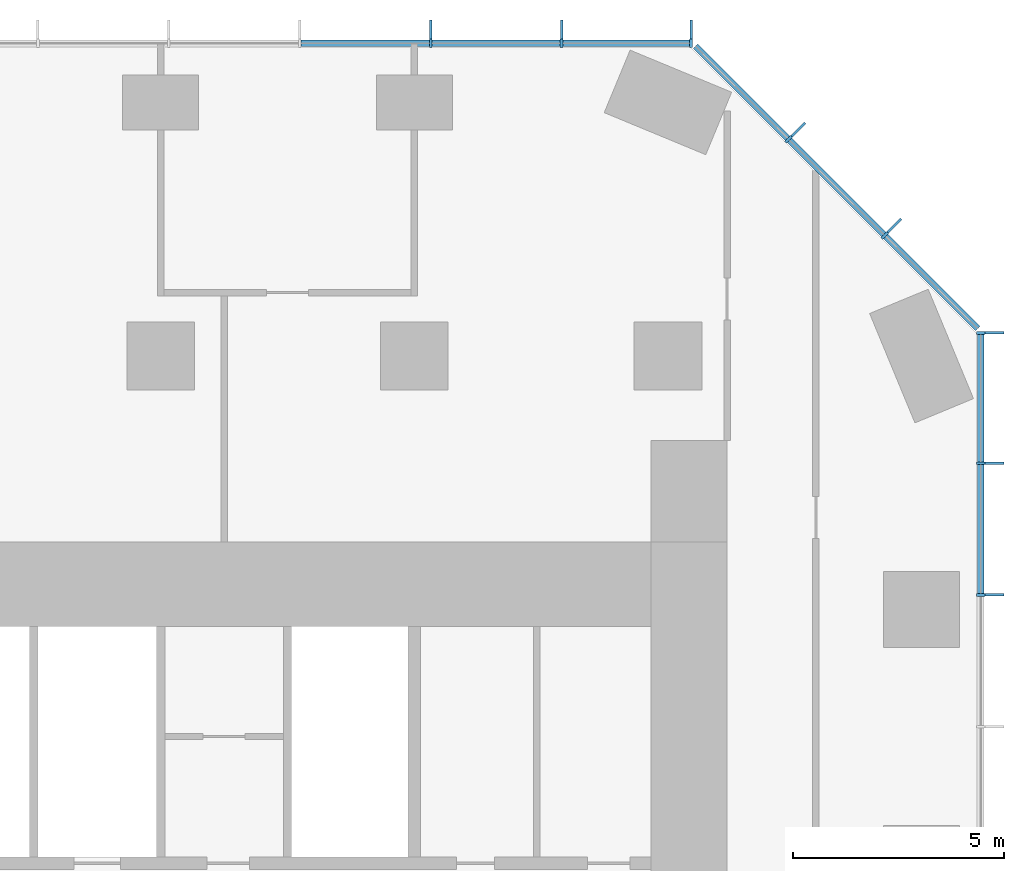
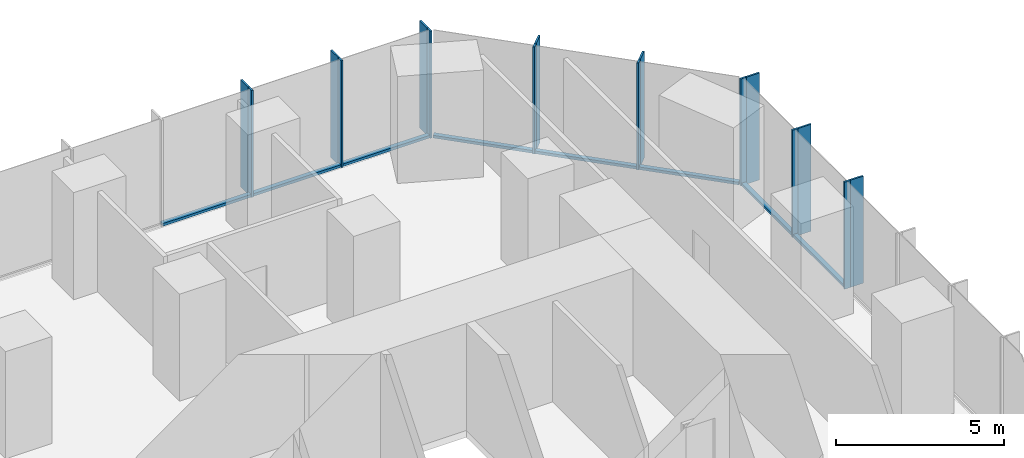
# One storey, part 6 of 11: 24 members, 3 elements without a shape of their own.
"""IFC4 building model written with IfcOpenShell, lengths in metres."""

import ifcopenshell
import ifcopenshell.guid

model = None  # the IFC model being written
_history = None  # IfcOwnerHistory: only IFC2X3 demands one
_inside = {}  # id of a spatial element -> (the spatial element, [elements in it])
_under = {}  # id of a project, library or spatial element -> (it, [spatial elements below it])
_declared = {}  # id of a project -> (the project, [libraries it declares])
_typed = {}  # id of a type object -> (the type object, [elements of that type])
_made_of = {}  # id of a material, layer set ... -> (it, [elements and type objects made of it])


def new_model(schema):
    """Start an empty IFC model of exactly this schema.

    Asked for "IFC4X3", IfcOpenShell would pick the latest addendum, in which some entities
    have other attributes; the version numbers below select the first issue.
    IFC2X3 requires an IfcOwnerHistory on every rooted entity: one is made here for all.
    """
    global model, _history
    if schema == "IFC4X3":
        model = ifcopenshell.file(schema_version=(4, 3, 0, 0))
    else:
        model = ifcopenshell.file(schema=schema)
    _inside.clear()
    _under.clear()
    _declared.clear()
    _typed.clear()
    _made_of.clear()
    _history = None
    if model.schema == "IFC2X3":
        org = make("IfcOrganization", Name="unknown")
        user = make(
            "IfcPersonAndOrganization",
            ThePerson=make("IfcPerson", FamilyName="unknown"),
            TheOrganization=org,
        )
        app = make(
            "IfcApplication",
            ApplicationDeveloper=org,
            Version="unknown",
            ApplicationFullName="unknown",
            ApplicationIdentifier="unknown",
        )
        _history = make(
            "IfcOwnerHistory",
            OwningUser=user,
            OwningApplication=app,
            ChangeAction="ADDED",
            CreationDate=0,
        )
    return model


def make(cls, **values):
    """One entity of the class cls with the attributes given. An attribute that is None is left unset."""
    return model.create_entity(
        cls, **{name: value for name, value in values.items() if value is not None}
    )


def rooted(cls, **values):
    """An entity with a GlobalId (a new one), such as an element, a storey or a relation."""
    return make(cls, GlobalId=ifcopenshell.guid.new(), OwnerHistory=_history, **values)


def si_unit(unit_type, name, prefix=None):
    """IfcSIUnit, for example si_unit("LENGTHUNIT", "METRE", prefix="MILLI")."""
    return make("IfcSIUnit", UnitType=unit_type, Prefix=prefix, Name=name)


def assignment(units):
    """IfcUnitAssignment: the units of a project."""
    return None if units is None else make("IfcUnitAssignment", Units=units)


def point(xyz):
    """IfcCartesianPoint."""
    return None if xyz is None else make("IfcCartesianPoint", Coordinates=xyz)


def direction(xyz):
    """IfcDirection."""
    return None if xyz is None else make("IfcDirection", DirectionRatios=xyz)


def frame(location, z_axis=None, x_axis=None):
    """IfcAxis2Placement3D, a coordinate frame: its origin and axes. An axis left out is left unset."""
    return make(
        "IfcAxis2Placement3D",
        Location=point(location),
        Axis=direction(z_axis),
        RefDirection=direction(x_axis),
    )


def frame_2d(location, x_axis=None):
    """IfcAxis2Placement2D, a coordinate frame in the plane: its origin and x axis."""
    return make(
        "IfcAxis2Placement2D", Location=point(location), RefDirection=direction(x_axis)
    )


def origin():
    """The frame at (0, 0, 0) with its axes left unset."""
    return frame((0.0, 0.0, 0.0))


def origin_2d():
    """The frame at (0, 0) in the plane with its x axis left unset."""
    return frame_2d((0.0, 0.0))


def place(relative_to, where):
    """IfcLocalPlacement: puts the frame where relative to a parent placement (None: the world)."""
    return make(
        "IfcLocalPlacement", PlacementRelTo=relative_to, RelativePlacement=where
    )


def context(
    kind, dimensions, precision=None, world=None, true_north=None, identifier=None
):
    """IfcGeometricRepresentationContext, for example the 3D "Model" context."""
    return make(
        "IfcGeometricRepresentationContext",
        ContextIdentifier=identifier,
        ContextType=kind,
        CoordinateSpaceDimension=dimensions,
        Precision=precision,
        WorldCoordinateSystem=world,
        TrueNorth=true_north,
    )


def subcontext(parent, identifier, kind, view, scale=None):
    """IfcGeometricRepresentationSubContext, for example "Body" below "Model"."""
    return make(
        "IfcGeometricRepresentationSubContext",
        ContextIdentifier=identifier,
        ContextType=kind,
        ParentContext=parent,
        TargetScale=scale,
        TargetView=view,
    )


def project(units=None, contexts=None):
    """IfcProject with its units and contexts."""
    return rooted(
        "IfcProject",
        Name="project",
        RepresentationContexts=contexts,
        UnitsInContext=assignment(units),
    )


def spatial(cls, under=None, at=None, **own):
    """A site, building, storey or space (cls), placed at a placement, below another one or the project."""
    s = rooted(cls, ObjectPlacement=at, **own)
    if under is not None:
        _under.setdefault(under.id(), (under, []))[1].append(s)
    return s


def profile(cls, at=None, kind="AREA", **sizes):
    """A parametric profile (cls). Its sizes go by their IFC names, for example OverallWidth=200.0."""
    return make(cls, ProfileType=kind, Position=at, **sizes)


def rectangle(**sizes):
    """IfcRectangleProfileDef."""
    return profile("IfcRectangleProfileDef", **sizes)


def extrude(swept, where, along, depth):
    """IfcExtrudedAreaSolid: the profile swept, set in the frame where, extruded along a direction by depth."""
    return make(
        "IfcExtrudedAreaSolid",
        SweptArea=swept,
        Position=where,
        ExtrudedDirection=direction(along),
        Depth=depth,
    )


def shape(context_of_items, identifier, shape_type, items):
    """IfcShapeRepresentation: the items that make up one representation, for example the "Body"."""
    return make(
        "IfcShapeRepresentation",
        ContextOfItems=context_of_items,
        RepresentationIdentifier=identifier,
        RepresentationType=shape_type,
        Items=items,
    )


def material(Name=None, Category=None):
    """IfcMaterial."""
    return make("IfcMaterial", Name=Name, Category=Category)


def layer(
    of_material, thickness, ventilated=None, Name=None, Category=None, Priority=None
):
    """IfcMaterialLayer: one layer of a wall or slab, of a material (None: an air gap)."""
    return make(
        "IfcMaterialLayer",
        Material=of_material,
        LayerThickness=thickness,
        IsVentilated=ventilated,
        Name=Name,
        Category=Category,
        Priority=Priority,
    )


def layer_set(layers, Name=None):
    """IfcMaterialLayerSet."""
    return make("IfcMaterialLayerSet", MaterialLayers=layers, LayerSetName=Name)


def material_profile(
    of_material, cross_section, Name=None, Category=None, Priority=None
):
    """IfcMaterialProfile: a cross section and its material."""
    return make(
        "IfcMaterialProfile",
        Name=Name,
        Material=of_material,
        Profile=cross_section,
        Priority=Priority,
        Category=Category,
    )


def profile_set(profiles, Name=None, composite=None):
    """IfcMaterialProfileSet."""
    return make(
        "IfcMaterialProfileSet",
        Name=Name,
        MaterialProfiles=profiles,
        CompositeProfile=composite,
    )


def made_of(thing, what):
    """Note that an element or type object is made of a material, layer set ...; save() writes the relation."""
    if what is not None:
        _made_of.setdefault(what.id(), (what, []))[1].append(thing)
    return thing


def type_object(cls, material=None, **own):
    """A type object (cls), such as IfcWallType, which elements share."""
    return made_of(rooted(cls, **own), material)


def element(
    cls,
    number,
    at=None,
    inside=None,
    cuts=None,
    type_object=None,
    material=None,
    context=None,
    identifier="Body",
    shape_type=None,
    held_by="IfcProductDefinitionShape",
    body=None,
    shapes=None,
    **own,
):
    """One element of the class cls, such as IfcWall. Its Tag is "e" and its number.

    at: its placement. inside: the storey or other place that contains it. cuts: it is an
    opening in that element (IfcRelVoidsElement). A single representation is given by context,
    identifier, shape_type and body (its items); several are given by shapes. held_by: the class
    of the entity that holds the representations. save() writes the other relations.
    """
    e = rooted(cls, Tag="e%d" % number, ObjectPlacement=at, **own)
    if body is not None:
        shapes = [shape(context, identifier, shape_type, body)]
    if shapes is not None:
        e.Representation = make(held_by, Representations=shapes)
    if inside is not None:
        _inside.setdefault(inside.id(), (inside, []))[1].append(e)
    if cuts is not None:
        rooted(
            "IfcRelVoidsElement", RelatingBuildingElement=cuts, RelatedOpeningElement=e
        )
    if type_object is not None:
        _typed.setdefault(type_object.id(), (type_object, []))[1].append(e)
    return made_of(e, material)


def aggregate(whole, parts):
    """IfcRelAggregates: a whole, such as a stair, and the parts it consists of."""
    return rooted("IfcRelAggregates", RelatingObject=whole, RelatedObjects=parts)


def save(model, path):
    """Write the relations noted so far, then the file.

    IfcRelAggregates (storeys below a building ...), IfcRelContainedInSpatialStructure (elements
    in a storey), IfcRelDefinesByType, IfcRelAssociatesMaterial and IfcRelDeclares: one each for
    every whole, place, type object, material and project.
    """
    for whole, parts in _under.values():
        aggregate(whole, parts)
    for where, things in _inside.values():
        rooted(
            "IfcRelContainedInSpatialStructure",
            RelatedElements=things,
            RelatingStructure=where,
        )
    for kind, things in _typed.values():
        rooted("IfcRelDefinesByType", RelatedObjects=things, RelatingType=kind)
    for what, things in _made_of.values():
        rooted("IfcRelAssociatesMaterial", RelatedObjects=things, RelatingMaterial=what)
    for by, libraries in _declared.values():
        rooted("IfcRelDeclares", RelatingContext=by, RelatedDefinitions=libraries)
    model.write(path)


model = new_model("IFC4")

# Units and contexts
model_context = context("Model", 3, precision=1e-05, world=origin(), true_north=direction((0.0, 1.0)))
body_context = subcontext(model_context, "Body", "Model", "MODEL_VIEW")
ifc_project = project(units=[si_unit("LENGTHUNIT", "METRE"), si_unit("AREAUNIT", "SQUARE_METRE"), si_unit("VOLUMEUNIT", "CUBIC_METRE"), si_unit("PLANEANGLEUNIT", "RADIAN"), si_unit("MASSUNIT", "GRAM", prefix="KILO")], contexts=[model_context])

# Site, building, storey
site_placement = place(None, origin())
site = spatial("IfcSite", under=ifc_project, at=site_placement, CompositionType="ELEMENT")
building_placement = place(site_placement, origin())
building = spatial("IfcBuilding", under=site, at=building_placement, Name="Highveld Stack Headquarters", CompositionType="ELEMENT")
storey_placement = place(building_placement, frame((0.0, 0.0, 132.800048828125)))
storey = spatial("IfcBuildingStorey", under=building, at=storey_placement, Name="L32", CompositionType="ELEMENT", Elevation=132.800048828125)

# Curtain wall, members
ifc_material_1 = material(Name="Aluminium bronze anodised", Category="aluminium")
ifc_layer_1 = layer(ifc_material_1, 0.199951171875)
ifc_layer_set_1 = layer_set([ifc_layer_1], Name="Aluminium bronze anodised")
curtain_wall_type_1 = type_object("IfcCurtainWallType", Name="CW1 TOWER UNITISED CURTAIN WALL", PredefinedType="NOTDEFINED", material=ifc_layer_set_1)
curtain_wall_1_placement = place(storey_placement, origin())
curtain_wall_1 = element("IfcCurtainWall", 1, at=curtain_wall_1_placement, inside=storey, type_object=curtain_wall_type_1, Name="Curtain wall CW1 L32 E", PredefinedType="NOTDEFINED")
ifc_material_2 = material(Name="Aluminium bronze anodised", Category="aluminium")
ifc_material_profile_1 = material_profile(ifc_material_2, rectangle(XDim=0.449951171875, YDim=0.06005859375, at=origin_2d()), Name="FIN 450x60")
ifc_profile_set_1 = profile_set([ifc_material_profile_1], Name="Aluminium bronze anodised")
member_type_1 = type_object("IfcMemberType", Name="CW1 BRONZE FIN 450x60", PredefinedType="USERDEFINED", material=ifc_profile_set_1)
member_1_placement = place(storey_placement, frame((25.72509765625, 12.347900390625, 0.0), z_axis=(0.0, 0.0, 1.0), x_axis=(-1.0, 0.0, 0.0)))
member_1 = element("IfcMember", 2, at=member_1_placement, type_object=member_type_1, Name="CW1 fin L32 9", ObjectType="FIN", PredefinedType="USERDEFINED", context=body_context, shape_type="SweptSolid", body=[
    extrude(rectangle(XDim=0.449951171875, YDim=0.06005859375, at=origin_2d()), origin(), (0.0, 0.0, 1.0), 3.89990234375),
])
member_2_placement = place(storey_placement, frame((25.72509765625, 15.4638671875, 0.0), z_axis=(0.0, 0.0, 1.0), x_axis=(-1.0, 0.0, 0.0)))
member_2 = element("IfcMember", 3, at=member_2_placement, type_object=member_type_1, Name="CW1 fin L32 10", ObjectType="FIN", PredefinedType="USERDEFINED", context=body_context, shape_type="SweptSolid", body=[
    extrude(rectangle(XDim=0.449951171875, YDim=0.06005859375, at=origin_2d()), origin(), (0.0, 0.0, 1.0), 3.89990234375),
])
member_3_placement = place(storey_placement, frame((25.72509765625, 18.54736328125, 0.0), z_axis=(0.0, 0.0, 1.0), x_axis=(-1.0, 0.0, 0.0)))
member_3 = element("IfcMember", 4, at=member_3_placement, type_object=member_type_1, Name="CW1 fin L32 11", ObjectType="FIN", PredefinedType="USERDEFINED", context=body_context, shape_type="SweptSolid", body=[
    extrude(rectangle(XDim=0.449951171875, YDim=0.06005859375, at=origin_2d()), origin(), (0.0, 0.0, 1.0), 3.89990234375),
])

curtain_wall_2_placement = place(storey_placement, origin())
curtain_wall_2 = element("IfcCurtainWall", 5, at=curtain_wall_2_placement, inside=storey, type_object=curtain_wall_type_1, Name="Curtain wall CW1 L32 N", PredefinedType="NOTDEFINED")
member_4_placement = place(storey_placement, frame((18.54736328125, 25.72509765625, 0.0), z_axis=(0.0, 0.0, 1.0), x_axis=(0.0, -1.0, 0.0)))
member_4 = element("IfcMember", 6, at=member_4_placement, type_object=member_type_1, Name="CW1 fin L32 1", ObjectType="FIN", PredefinedType="USERDEFINED", context=body_context, shape_type="SweptSolid", body=[
    extrude(rectangle(XDim=0.449951171875, YDim=0.06005859375, at=origin_2d()), origin(), (0.0, 0.0, 1.0), 3.89990234375),
])
member_5_placement = place(storey_placement, frame((15.483154296875, 25.72509765625, 0.0), z_axis=(0.0, 0.0, 1.0), x_axis=(0.0, -1.0, 0.0)))
member_5 = element("IfcMember", 7, at=member_5_placement, type_object=member_type_1, Name="CW1 fin L32 2", ObjectType="FIN", PredefinedType="USERDEFINED", context=body_context, shape_type="SweptSolid", body=[
    extrude(rectangle(XDim=0.449951171875, YDim=0.06005859375, at=origin_2d()), origin(), (0.0, 0.0, 1.0), 3.89990234375),
])
member_6_placement = place(storey_placement, frame((12.38671875, 25.72509765625, 0.0), z_axis=(0.0, 0.0, 1.0), x_axis=(0.0, -1.0, 0.0)))
member_6 = element("IfcMember", 8, at=member_6_placement, type_object=member_type_1, Name="CW1 fin L32 3", ObjectType="FIN", PredefinedType="USERDEFINED", context=body_context, shape_type="SweptSolid", body=[
    extrude(rectangle(XDim=0.449951171875, YDim=0.06005859375, at=origin_2d()), origin(), (0.0, 0.0, 1.0), 3.89990234375),
])

# Member
ifc_material_3 = material(Name="Aluminium bronze anodised", Category="aluminium")
ifc_material_profile_2 = material_profile(ifc_material_3, rectangle(XDim=0.199951171875, YDim=0.06494140625, at=origin_2d()), Name="CW1 MULLION 65x200")
ifc_profile_set_2 = profile_set([ifc_material_profile_2], Name="Aluminium bronze anodised")
member_type_2 = type_object("IfcMemberType", Name="CW1 MULLION 65x200", PredefinedType="MULLION", material=ifc_profile_set_2)
member_7_placement = place(storey_placement, frame((25.39990234375, 12.347900390625, 0.0), z_axis=(0.0, 0.0, 1.0), x_axis=(-1.0, 0.0, 0.0)))
member_7 = element("IfcMember", 9, at=member_7_placement, type_object=member_type_2, Name="CW1 mullion L32 9", PredefinedType="MULLION", context=body_context, shape_type="SweptSolid", body=[
    extrude(rectangle(XDim=0.199951171875, YDim=0.06494140625, at=origin_2d()), origin(), (0.0, 0.0, 1.0), 3.89990234375),
])

member_8_placement = place(storey_placement, frame((25.39990234375, 15.4638671875, 0.0), z_axis=(0.0, 0.0, 1.0), x_axis=(-1.0, 0.0, 0.0)))
member_8 = element("IfcMember", 10, at=member_8_placement, type_object=member_type_2, Name="CW1 mullion L32 10", PredefinedType="MULLION", context=body_context, shape_type="SweptSolid", body=[
    extrude(rectangle(XDim=0.199951171875, YDim=0.06494140625, at=origin_2d()), origin(), (0.0, 0.0, 1.0), 3.89990234375),
])

member_9_placement = place(storey_placement, frame((25.39990234375, 18.54736328125, 0.0), z_axis=(0.0, 0.0, 1.0), x_axis=(-1.0, 0.0, 0.0)))
member_9 = element("IfcMember", 11, at=member_9_placement, type_object=member_type_2, Name="CW1 mullion L32 11", PredefinedType="MULLION", context=body_context, shape_type="SweptSolid", body=[
    extrude(rectangle(XDim=0.199951171875, YDim=0.06494140625, at=origin_2d()), origin(), (0.0, 0.0, 1.0), 3.89990234375),
])

member_10_placement = place(storey_placement, frame((18.54736328125, 25.39990234375, 0.0), z_axis=(0.0, 0.0, 1.0), x_axis=(0.0, -1.0, 0.0)))
member_10 = element("IfcMember", 12, at=member_10_placement, type_object=member_type_2, Name="CW1 mullion L32 1", PredefinedType="MULLION", context=body_context, shape_type="SweptSolid", body=[
    extrude(rectangle(XDim=0.199951171875, YDim=0.06494140625, at=origin_2d()), origin(), (0.0, 0.0, 1.0), 3.89990234375),
])

member_11_placement = place(storey_placement, frame((15.483154296875, 25.39990234375, 0.0), z_axis=(0.0, 0.0, 1.0), x_axis=(0.0, -1.0, 0.0)))
member_11 = element("IfcMember", 13, at=member_11_placement, type_object=member_type_2, Name="CW1 mullion L32 2", PredefinedType="MULLION", context=body_context, shape_type="SweptSolid", body=[
    extrude(rectangle(XDim=0.199951171875, YDim=0.06494140625, at=origin_2d()), origin(), (0.0, 0.0, 1.0), 3.89990234375),
])

member_12_placement = place(storey_placement, frame((12.38671875, 25.39990234375, 0.0), z_axis=(0.0, 0.0, 1.0), x_axis=(0.0, -1.0, 0.0)))
member_12 = element("IfcMember", 14, at=member_12_placement, type_object=member_type_2, Name="CW1 mullion L32 3", PredefinedType="MULLION", context=body_context, shape_type="SweptSolid", body=[
    extrude(rectangle(XDim=0.199951171875, YDim=0.06494140625, at=origin_2d()), origin(), (0.0, 0.0, 1.0), 3.89990234375),
])

ifc_material_4 = material(Name="Aluminium bronze anodised", Category="aluminium")
ifc_material_profile_3 = material_profile(ifc_material_4, rectangle(XDim=0.14990234375, YDim=0.10009765625, at=origin_2d()), Name="CW1 TRANSOM 150x100")
ifc_profile_set_3 = profile_set([ifc_material_profile_3], Name="Aluminium bronze anodised")
member_type_3 = type_object("IfcMemberType", Name="CW1 STACK TRANSOM 150x100", PredefinedType="USERDEFINED", material=ifc_profile_set_3)
member_13_placement = place(storey_placement, frame((25.39990234375, 12.38037109375, 0.050048828125), z_axis=(0.0, 1.0, 0.0), x_axis=(-1.0, 0.0, 0.0)))
member_13 = element("IfcMember", 15, at=member_13_placement, type_object=member_type_3, Name="CW1 transom L32 9.1", ObjectType="TRANSOM", PredefinedType="USERDEFINED", context=body_context, shape_type="SweptSolid", body=[
    extrude(rectangle(XDim=0.14990234375, YDim=0.10009765625, at=origin_2d()), origin(), (0.0, 0.0, 1.0), 3.051025390625),
])

member_14_placement = place(storey_placement, frame((25.39990234375, 15.496337890625, 0.050048828125), z_axis=(0.0, 1.0, 0.0), x_axis=(-1.0, 0.0, 0.0)))
member_14 = element("IfcMember", 16, at=member_14_placement, type_object=member_type_3, Name="CW1 transom L32 10.1", ObjectType="TRANSOM", PredefinedType="USERDEFINED", context=body_context, shape_type="SweptSolid", body=[
    extrude(rectangle(XDim=0.14990234375, YDim=0.10009765625, at=origin_2d()), origin(), (0.0, 0.0, 1.0), 3.0185546875),
])

aggregate(curtain_wall_1, [member_7, member_1, member_8, member_2, member_9, member_3, member_13, member_14])

member_15_placement = place(storey_placement, frame((18.514892578125, 25.39990234375, 0.050048828125), z_axis=(-1.0, 0.0, 0.0), x_axis=(0.0, -1.0, 0.0)))
member_15 = element("IfcMember", 17, at=member_15_placement, type_object=member_type_3, Name="CW1 transom L32 1.1", ObjectType="TRANSOM", PredefinedType="USERDEFINED", context=body_context, shape_type="SweptSolid", body=[
    extrude(rectangle(XDim=0.14990234375, YDim=0.10009765625, at=origin_2d()), origin(), (0.0, 0.0, 1.0), 2.999267578125),
])

member_16_placement = place(storey_placement, frame((15.45068359375, 25.39990234375, 0.050048828125), z_axis=(-1.0, 0.0, 0.0), x_axis=(0.0, -1.0, 0.0)))
member_16 = element("IfcMember", 18, at=member_16_placement, type_object=member_type_3, Name="CW1 transom L32 2.1", ObjectType="TRANSOM", PredefinedType="USERDEFINED", context=body_context, shape_type="SweptSolid", body=[
    extrude(rectangle(XDim=0.14990234375, YDim=0.10009765625, at=origin_2d()), origin(), (0.0, 0.0, 1.0), 3.031494140625),
])

member_17_placement = place(storey_placement, frame((12.35400390625, 25.39990234375, 0.050048828125), z_axis=(-1.0, 0.0, 0.0), x_axis=(0.0, -1.0, 0.0)))
member_17 = element("IfcMember", 19, at=member_17_placement, type_object=member_type_3, Name="CW1 transom L32 3.1", ObjectType="TRANSOM", PredefinedType="USERDEFINED", context=body_context, shape_type="SweptSolid", body=[
    extrude(rectangle(XDim=0.14990234375, YDim=0.10009765625, at=origin_2d()), origin(), (0.0, 0.0, 1.0), 3.031494140625),
])

aggregate(curtain_wall_2, [member_10, member_4, member_11, member_5, member_12, member_6, member_15, member_16, member_17])

# Curtain wall, members
ifc_material_5 = material(Name="Aluminium bronze anodised", Category="aluminium")
ifc_layer_2 = layer(ifc_material_5, 0.199951171875)
ifc_layer_set_2 = layer_set([ifc_layer_2], Name="Aluminium bronze anodised")
curtain_wall_type_2 = type_object("IfcCurtainWallType", Name="CW2 TOWER CHAMFER UNITISED CURTAIN WALL", PredefinedType="NOTDEFINED", material=ifc_layer_set_2)
curtain_wall_3_placement = place(storey_placement, origin())
curtain_wall_3 = element("IfcCurtainWall", 20, at=curtain_wall_3_placement, inside=storey, type_object=curtain_wall_type_2, Name="Curtain wall CW2 L32 NE", PredefinedType="NOTDEFINED")
ifc_material_6 = material(Name="Aluminium bronze anodised", Category="aluminium")
ifc_material_profile_4 = material_profile(ifc_material_6, rectangle(XDim=0.449951171875, YDim=0.06005859375, at=origin_2d()), Name="FIN 450x60")
ifc_profile_set_4 = profile_set([ifc_material_profile_4], Name="Aluminium bronze anodised")
member_type_4 = type_object("IfcMemberType", Name="CW2 BRONZE FIN 450x60", PredefinedType="USERDEFINED", material=ifc_profile_set_4)
member_18_placement = place(storey_placement, frame((23.3564453125, 21.0830078125, 0.0), z_axis=(0.0, 0.0, 1.0), x_axis=(-0.707106781187, -0.707106781187, 0.0)))
member_18 = element("IfcMember", 21, at=member_18_placement, type_object=member_type_4, Name="CW2 fin L32 1", ObjectType="FIN", PredefinedType="USERDEFINED", context=body_context, shape_type="SweptSolid", body=[
    extrude(rectangle(XDim=0.449951171875, YDim=0.06005859375, at=origin_2d()), origin(), (0.0, 0.0, 1.0), 3.89990234375),
])
member_19_placement = place(storey_placement, frame((21.0830078125, 23.3564453125, 0.0), z_axis=(0.0, 0.0, 1.0), x_axis=(-0.707106781187, -0.707106781187, 0.0)))
member_19 = element("IfcMember", 22, at=member_19_placement, type_object=member_type_4, Name="CW2 fin L32 2", ObjectType="FIN", PredefinedType="USERDEFINED", context=body_context, shape_type="SweptSolid", body=[
    extrude(rectangle(XDim=0.449951171875, YDim=0.06005859375, at=origin_2d()), origin(), (0.0, 0.0, 1.0), 3.89990234375),
])
ifc_material_7 = material(Name="Aluminium bronze anodised", Category="aluminium")
ifc_material_profile_5 = material_profile(ifc_material_7, rectangle(XDim=0.199951171875, YDim=0.06494140625, at=origin_2d()), Name="CW2 MULLION 65x200")
ifc_profile_set_5 = profile_set([ifc_material_profile_5], Name="Aluminium bronze anodised")
member_type_5 = type_object("IfcMemberType", Name="CW2 MULLION 65x200", PredefinedType="MULLION", material=ifc_profile_set_5)
member_20_placement = place(storey_placement, frame((23.126708984375, 20.853271484375, 0.0), z_axis=(0.0, 0.0, 1.0), x_axis=(-0.707106781187, -0.707106781187, 0.0)))
member_20 = element("IfcMember", 23, at=member_20_placement, type_object=member_type_5, Name="CW2 mullion L32 1", PredefinedType="MULLION", context=body_context, shape_type="SweptSolid", body=[
    extrude(rectangle(XDim=0.199951171875, YDim=0.06494140625, at=origin_2d()), origin(), (0.0, 0.0, 1.0), 3.89990234375),
])
member_21_placement = place(storey_placement, frame((20.853271484375, 23.126708984375, 0.0), z_axis=(0.0, 0.0, 1.0), x_axis=(-0.707106781187, -0.707106781187, 0.0)))
member_21 = element("IfcMember", 24, at=member_21_placement, type_object=member_type_5, Name="CW2 mullion L32 2", PredefinedType="MULLION", context=body_context, shape_type="SweptSolid", body=[
    extrude(rectangle(XDim=0.199951171875, YDim=0.06494140625, at=origin_2d()), origin(), (0.0, 0.0, 1.0), 3.89990234375),
])
ifc_material_8 = material(Name="Aluminium bronze anodised", Category="aluminium")
ifc_material_profile_6 = material_profile(ifc_material_8, rectangle(XDim=0.14990234375, YDim=0.10009765625, at=origin_2d()), Name="CW2 TRANSOM 150x100")
ifc_profile_set_6 = profile_set([ifc_material_profile_6], Name="Aluminium bronze anodised")
member_type_6 = type_object("IfcMemberType", Name="CW2 STACK TRANSOM 150x100", PredefinedType="USERDEFINED", material=ifc_profile_set_6)
member_22_placement = place(storey_placement, frame((25.329345703125, 18.650634765625, 0.050048828125), z_axis=(-0.707106781187, 0.707106781187, 0.0), x_axis=(-0.707106781187, -0.707106781187, 0.0)))
member_22 = element("IfcMember", 25, at=member_22_placement, type_object=member_type_6, Name="CW2 transom L32 1.1", ObjectType="TRANSOM", PredefinedType="USERDEFINED", context=body_context, shape_type="SweptSolid", body=[
    extrude(rectangle(XDim=0.14990234375, YDim=0.10009765625, at=origin_2d()), origin(), (0.0, 0.0, 1.0), 3.08251953125),
])
member_23_placement = place(storey_placement, frame((23.103759765625, 20.876220703125, 0.050048828125), z_axis=(-0.707106781187, 0.707106781187, 0.0), x_axis=(-0.707106781187, -0.707106781187, 0.0)))
member_23 = element("IfcMember", 26, at=member_23_placement, type_object=member_type_6, Name="CW2 transom L32 2.1", ObjectType="TRANSOM", PredefinedType="USERDEFINED", context=body_context, shape_type="SweptSolid", body=[
    extrude(rectangle(XDim=0.14990234375, YDim=0.10009765625, at=origin_2d()), origin(), (0.0, 0.0, 1.0), 3.150146484375),
])
member_24_placement = place(storey_placement, frame((20.830322265625, 23.149658203125, 0.050048828125), z_axis=(-0.707106781187, 0.707106781187, 0.0), x_axis=(-0.707106781187, -0.707106781187, 0.0)))
member_24 = element("IfcMember", 27, at=member_24_placement, type_object=member_type_6, Name="CW2 transom L32 3.1", ObjectType="TRANSOM", PredefinedType="USERDEFINED", context=body_context, shape_type="SweptSolid", body=[
    extrude(rectangle(XDim=0.14990234375, YDim=0.10009765625, at=origin_2d()), origin(), (0.0, 0.0, 1.0), 3.08251953125),
])
aggregate(curtain_wall_3, [member_20, member_18, member_21, member_19, member_22, member_23, member_24])

save(model, "model.ifc")
